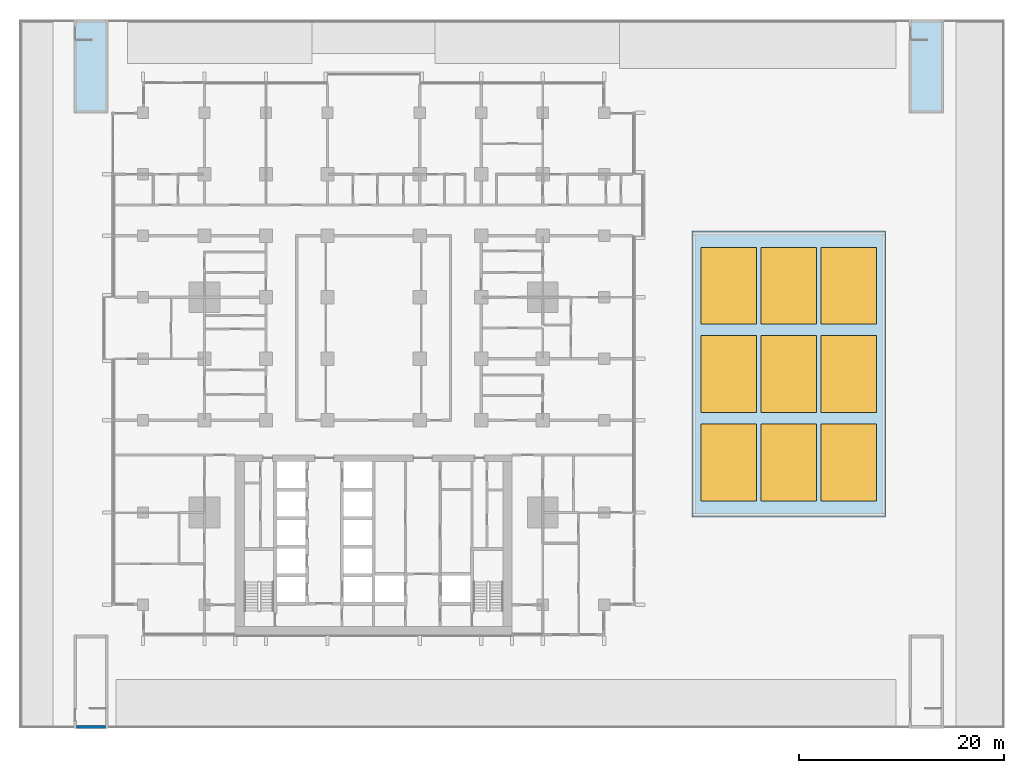
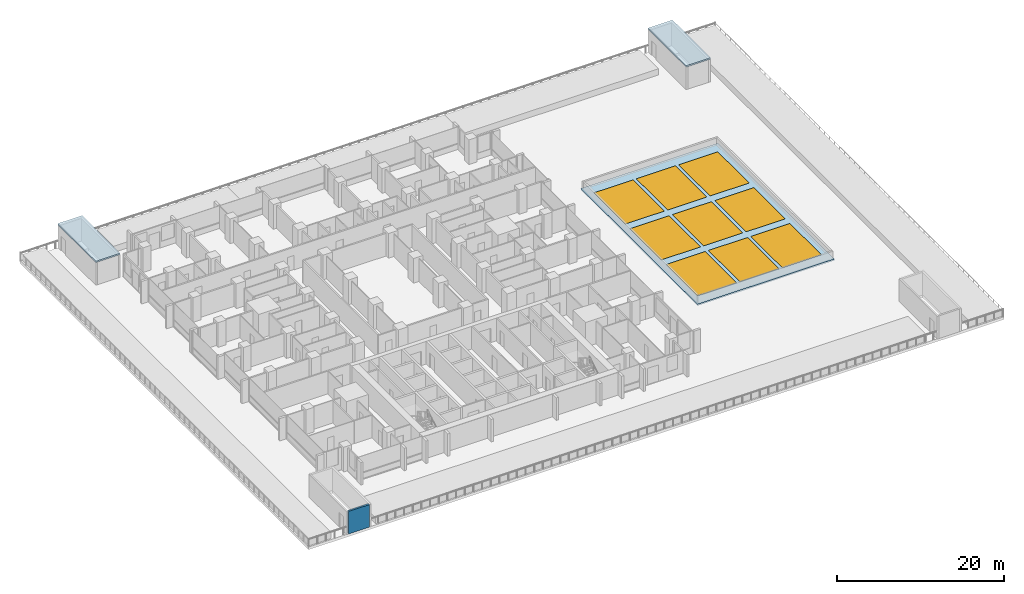
# One storey, part 8 of 25: 9 windows, 3 slabs, 1 wall, 9 openings.
"""IFC4 building model written with IfcOpenShell, lengths in metres."""

import ifcopenshell
import ifcopenshell.guid

model = None  # the IFC model being written
_history = None  # IfcOwnerHistory: only IFC2X3 demands one
_inside = {}  # id of a spatial element -> (the spatial element, [elements in it])
_under = {}  # id of a project, library or spatial element -> (it, [spatial elements below it])
_declared = {}  # id of a project -> (the project, [libraries it declares])
_typed = {}  # id of a type object -> (the type object, [elements of that type])
_made_of = {}  # id of a material, layer set ... -> (it, [elements and type objects made of it])


def new_model(schema):
    """Start an empty IFC model of exactly this schema.

    Asked for "IFC4X3", IfcOpenShell would pick the latest addendum, in which some entities
    have other attributes; the version numbers below select the first issue.
    IFC2X3 requires an IfcOwnerHistory on every rooted entity: one is made here for all.
    """
    global model, _history
    if schema == "IFC4X3":
        model = ifcopenshell.file(schema_version=(4, 3, 0, 0))
    else:
        model = ifcopenshell.file(schema=schema)
    _inside.clear()
    _under.clear()
    _declared.clear()
    _typed.clear()
    _made_of.clear()
    _history = None
    if model.schema == "IFC2X3":
        org = make("IfcOrganization", Name="unknown")
        user = make(
            "IfcPersonAndOrganization",
            ThePerson=make("IfcPerson", FamilyName="unknown"),
            TheOrganization=org,
        )
        app = make(
            "IfcApplication",
            ApplicationDeveloper=org,
            Version="unknown",
            ApplicationFullName="unknown",
            ApplicationIdentifier="unknown",
        )
        _history = make(
            "IfcOwnerHistory",
            OwningUser=user,
            OwningApplication=app,
            ChangeAction="ADDED",
            CreationDate=0,
        )
    return model


def make(cls, **values):
    """One entity of the class cls with the attributes given. An attribute that is None is left unset."""
    return model.create_entity(
        cls, **{name: value for name, value in values.items() if value is not None}
    )


def rooted(cls, **values):
    """An entity with a GlobalId (a new one), such as an element, a storey or a relation."""
    return make(cls, GlobalId=ifcopenshell.guid.new(), OwnerHistory=_history, **values)


def si_unit(unit_type, name, prefix=None):
    """IfcSIUnit, for example si_unit("LENGTHUNIT", "METRE", prefix="MILLI")."""
    return make("IfcSIUnit", UnitType=unit_type, Prefix=prefix, Name=name)


def assignment(units):
    """IfcUnitAssignment: the units of a project."""
    return None if units is None else make("IfcUnitAssignment", Units=units)


def point(xyz):
    """IfcCartesianPoint."""
    return None if xyz is None else make("IfcCartesianPoint", Coordinates=xyz)


def direction(xyz):
    """IfcDirection."""
    return None if xyz is None else make("IfcDirection", DirectionRatios=xyz)


def frame(location, z_axis=None, x_axis=None):
    """IfcAxis2Placement3D, a coordinate frame: its origin and axes. An axis left out is left unset."""
    return make(
        "IfcAxis2Placement3D",
        Location=point(location),
        Axis=direction(z_axis),
        RefDirection=direction(x_axis),
    )


def frame_2d(location, x_axis=None):
    """IfcAxis2Placement2D, a coordinate frame in the plane: its origin and x axis."""
    return make(
        "IfcAxis2Placement2D", Location=point(location), RefDirection=direction(x_axis)
    )


def origin():
    """The frame at (0, 0, 0) with its axes left unset."""
    return frame((0.0, 0.0, 0.0))


def origin_2d():
    """The frame at (0, 0) in the plane with its x axis left unset."""
    return frame_2d((0.0, 0.0))


def place(relative_to, where):
    """IfcLocalPlacement: puts the frame where relative to a parent placement (None: the world)."""
    return make(
        "IfcLocalPlacement", PlacementRelTo=relative_to, RelativePlacement=where
    )


def context(
    kind, dimensions, precision=None, world=None, true_north=None, identifier=None
):
    """IfcGeometricRepresentationContext, for example the 3D "Model" context."""
    return make(
        "IfcGeometricRepresentationContext",
        ContextIdentifier=identifier,
        ContextType=kind,
        CoordinateSpaceDimension=dimensions,
        Precision=precision,
        WorldCoordinateSystem=world,
        TrueNorth=true_north,
    )


def subcontext(parent, identifier, kind, view, scale=None):
    """IfcGeometricRepresentationSubContext, for example "Body" below "Model"."""
    return make(
        "IfcGeometricRepresentationSubContext",
        ContextIdentifier=identifier,
        ContextType=kind,
        ParentContext=parent,
        TargetScale=scale,
        TargetView=view,
    )


def project(units=None, contexts=None):
    """IfcProject with its units and contexts."""
    return rooted(
        "IfcProject",
        Name="project",
        RepresentationContexts=contexts,
        UnitsInContext=assignment(units),
    )


def spatial(cls, under=None, at=None, **own):
    """A site, building, storey or space (cls), placed at a placement, below another one or the project."""
    s = rooted(cls, ObjectPlacement=at, **own)
    if under is not None:
        _under.setdefault(under.id(), (under, []))[1].append(s)
    return s


def polyline(points):
    """IfcPolyline through the points."""
    return make("IfcPolyline", Points=[point(p) for p in points])


def profile(cls, at=None, kind="AREA", **sizes):
    """A parametric profile (cls). Its sizes go by their IFC names, for example OverallWidth=200.0."""
    return make(cls, ProfileType=kind, Position=at, **sizes)


def rectangle(**sizes):
    """IfcRectangleProfileDef."""
    return profile("IfcRectangleProfileDef", **sizes)


def outline(outer, holes=None, kind="AREA"):
    """IfcArbitraryClosedProfileDef: a profile drawn as a closed curve; with holes, ...WithVoids."""
    if holes is None:
        return make("IfcArbitraryClosedProfileDef", ProfileType=kind, OuterCurve=outer)
    return make(
        "IfcArbitraryProfileDefWithVoids",
        ProfileType=kind,
        OuterCurve=outer,
        InnerCurves=holes,
    )


def extrude(swept, where, along, depth):
    """IfcExtrudedAreaSolid: the profile swept, set in the frame where, extruded along a direction by depth."""
    return make(
        "IfcExtrudedAreaSolid",
        SweptArea=swept,
        Position=where,
        ExtrudedDirection=direction(along),
        Depth=depth,
    )


def shape(context_of_items, identifier, shape_type, items):
    """IfcShapeRepresentation: the items that make up one representation, for example the "Body"."""
    return make(
        "IfcShapeRepresentation",
        ContextOfItems=context_of_items,
        RepresentationIdentifier=identifier,
        RepresentationType=shape_type,
        Items=items,
    )


def material(Name=None, Category=None):
    """IfcMaterial."""
    return make("IfcMaterial", Name=Name, Category=Category)


def layer(
    of_material, thickness, ventilated=None, Name=None, Category=None, Priority=None
):
    """IfcMaterialLayer: one layer of a wall or slab, of a material (None: an air gap)."""
    return make(
        "IfcMaterialLayer",
        Material=of_material,
        LayerThickness=thickness,
        IsVentilated=ventilated,
        Name=Name,
        Category=Category,
        Priority=Priority,
    )


def layer_set(layers, Name=None):
    """IfcMaterialLayerSet."""
    return make("IfcMaterialLayerSet", MaterialLayers=layers, LayerSetName=Name)


def made_of(thing, what):
    """Note that an element or type object is made of a material, layer set ...; save() writes the relation."""
    if what is not None:
        _made_of.setdefault(what.id(), (what, []))[1].append(thing)
    return thing


def type_object(cls, material=None, **own):
    """A type object (cls), such as IfcWallType, which elements share."""
    return made_of(rooted(cls, **own), material)


def element(
    cls,
    number,
    at=None,
    inside=None,
    cuts=None,
    type_object=None,
    material=None,
    context=None,
    identifier="Body",
    shape_type=None,
    held_by="IfcProductDefinitionShape",
    body=None,
    shapes=None,
    **own,
):
    """One element of the class cls, such as IfcWall. Its Tag is "e" and its number.

    at: its placement. inside: the storey or other place that contains it. cuts: it is an
    opening in that element (IfcRelVoidsElement). A single representation is given by context,
    identifier, shape_type and body (its items); several are given by shapes. held_by: the class
    of the entity that holds the representations. save() writes the other relations.
    """
    e = rooted(cls, Tag="e%d" % number, ObjectPlacement=at, **own)
    if body is not None:
        shapes = [shape(context, identifier, shape_type, body)]
    if shapes is not None:
        e.Representation = make(held_by, Representations=shapes)
    if inside is not None:
        _inside.setdefault(inside.id(), (inside, []))[1].append(e)
    if cuts is not None:
        rooted(
            "IfcRelVoidsElement", RelatingBuildingElement=cuts, RelatedOpeningElement=e
        )
    if type_object is not None:
        _typed.setdefault(type_object.id(), (type_object, []))[1].append(e)
    return made_of(e, material)


def fill(opening, filler):
    """IfcRelFillsElement: the door or window that sits in an opening."""
    return rooted(
        "IfcRelFillsElement",
        RelatingOpeningElement=opening,
        RelatedBuildingElement=filler,
    )


def aggregate(whole, parts):
    """IfcRelAggregates: a whole, such as a stair, and the parts it consists of."""
    return rooted("IfcRelAggregates", RelatingObject=whole, RelatedObjects=parts)


def save(model, path):
    """Write the relations noted so far, then the file.

    IfcRelAggregates (storeys below a building ...), IfcRelContainedInSpatialStructure (elements
    in a storey), IfcRelDefinesByType, IfcRelAssociatesMaterial and IfcRelDeclares: one each for
    every whole, place, type object, material and project.
    """
    for whole, parts in _under.values():
        aggregate(whole, parts)
    for where, things in _inside.values():
        rooted(
            "IfcRelContainedInSpatialStructure",
            RelatedElements=things,
            RelatingStructure=where,
        )
    for kind, things in _typed.values():
        rooted("IfcRelDefinesByType", RelatedObjects=things, RelatingType=kind)
    for what, things in _made_of.values():
        rooted("IfcRelAssociatesMaterial", RelatedObjects=things, RelatingMaterial=what)
    for by, libraries in _declared.values():
        rooted("IfcRelDeclares", RelatingContext=by, RelatedDefinitions=libraries)
    model.write(path)


model = new_model("IFC4")

# Units and contexts
model_context = context("Model", 3, precision=1e-05, world=origin(), true_north=direction((0.0, 1.0)))
body_context = subcontext(model_context, "Body", "Model", "MODEL_VIEW")
ifc_project = project(units=[si_unit("LENGTHUNIT", "METRE"), si_unit("AREAUNIT", "SQUARE_METRE"), si_unit("VOLUMEUNIT", "CUBIC_METRE"), si_unit("PLANEANGLEUNIT", "RADIAN"), si_unit("MASSUNIT", "GRAM", prefix="KILO")], contexts=[model_context])

# Site, building, storey
site_placement = place(None, origin())
site = spatial("IfcSite", under=ifc_project, at=site_placement, CompositionType="ELEMENT")
building_placement = place(site_placement, origin())
building = spatial("IfcBuilding", under=site, at=building_placement, Name="Finial Court Residences", CompositionType="ELEMENT")
storey_placement = place(building_placement, frame((0.0, 0.0, 32.5)))
storey = spatial("IfcBuildingStorey", under=building, at=storey_placement, Name="L06", CompositionType="ELEMENT", Elevation=32.5)

# Slab, openings, windows
ifc_material_1 = material(Name="Concrete C40/50", Category="concrete")
ifc_layer_1 = layer(ifc_material_1, 0.199951171875)
ifc_layer_set_1 = layer_set([ifc_layer_1], Name="Atrium roof deck, Concrete C40/50 200")
slab_type_1 = type_object("IfcSlabType", Name="Atrium roof deck, Concrete C40/50 200", PredefinedType="ROOF", material=ifc_layer_set_1)
slab_1_placement = place(storey_placement, frame((0.0, 0.0, -0.199951171875)))
slab_1 = element("IfcSlab", 1, at=slab_1_placement, inside=storey, type_object=slab_type_1, Name="Atrium roof deck", PredefinedType="ROOF", context=body_context, shape_type="SweptSolid", body=[
    extrude(outline(polyline([(49.949951171875, -13.949951171875), (49.949951171875, 13.949951171875), (31.050048828125, 13.949951171875), (31.050048828125, -13.949951171875), (49.949951171875, -13.949951171875)])), origin(), (0.0, 0.0, 1.0), 0.199951171875),
])
opening_1_placement = place(slab_1_placement, frame((34.64990234375, -8.625, 0.0)))
opening_1 = element("IfcOpeningElement", 2, at=opening_1_placement, cuts=slab_1, Name="Opening WE06-16", PredefinedType="OPENING", context=body_context, shape_type="SweptSolid", body=[
    extrude(rectangle(XDim=5.39990234375, YDim=7.5, at=origin_2d()), origin(), (0.0, 0.0, 1.0), 0.199951171875),
])
opening_2_placement = place(slab_1_placement, frame((34.64990234375, 0.0, 0.0)))
opening_2 = element("IfcOpeningElement", 3, at=opening_2_placement, cuts=slab_1, Name="Opening WE06-17", PredefinedType="OPENING", context=body_context, shape_type="SweptSolid", body=[
    extrude(rectangle(XDim=5.39990234375, YDim=7.5, at=origin_2d()), origin(), (0.0, 0.0, 1.0), 0.199951171875),
])
opening_3_placement = place(slab_1_placement, frame((34.64990234375, 8.625, 0.0)))
opening_3 = element("IfcOpeningElement", 4, at=opening_3_placement, cuts=slab_1, Name="Opening WE06-18", PredefinedType="OPENING", context=body_context, shape_type="SweptSolid", body=[
    extrude(rectangle(XDim=5.39990234375, YDim=7.5, at=origin_2d()), origin(), (0.0, 0.0, 1.0), 0.199951171875),
])
opening_4_placement = place(slab_1_placement, frame((40.5, -8.625, 0.0)))
opening_4 = element("IfcOpeningElement", 5, at=opening_4_placement, cuts=slab_1, Name="Opening WE06-19", PredefinedType="OPENING", context=body_context, shape_type="SweptSolid", body=[
    extrude(rectangle(XDim=5.39990234375, YDim=7.5, at=origin_2d()), origin(), (0.0, 0.0, 1.0), 0.199951171875),
])
opening_5_placement = place(slab_1_placement, frame((40.5, 0.0, 0.0)))
opening_5 = element("IfcOpeningElement", 6, at=opening_5_placement, cuts=slab_1, Name="Opening WE06-20", PredefinedType="OPENING", context=body_context, shape_type="SweptSolid", body=[
    extrude(rectangle(XDim=5.39990234375, YDim=7.5, at=origin_2d()), origin(), (0.0, 0.0, 1.0), 0.199951171875),
])
opening_6_placement = place(slab_1_placement, frame((40.5, 8.625, 0.0)))
opening_6 = element("IfcOpeningElement", 7, at=opening_6_placement, cuts=slab_1, Name="Opening WE06-21", PredefinedType="OPENING", context=body_context, shape_type="SweptSolid", body=[
    extrude(rectangle(XDim=5.39990234375, YDim=7.5, at=origin_2d()), origin(), (0.0, 0.0, 1.0), 0.199951171875),
])
opening_7_placement = place(slab_1_placement, frame((46.35009765625, -8.625, 0.0)))
opening_7 = element("IfcOpeningElement", 8, at=opening_7_placement, cuts=slab_1, Name="Opening WE06-22", PredefinedType="OPENING", context=body_context, shape_type="SweptSolid", body=[
    extrude(rectangle(XDim=5.39990234375, YDim=7.5, at=origin_2d()), origin(), (0.0, 0.0, 1.0), 0.199951171875),
])
opening_8_placement = place(slab_1_placement, frame((46.35009765625, 0.0, 0.0)))
opening_8 = element("IfcOpeningElement", 9, at=opening_8_placement, cuts=slab_1, Name="Opening WE06-23", PredefinedType="OPENING", context=body_context, shape_type="SweptSolid", body=[
    extrude(rectangle(XDim=5.39990234375, YDim=7.5, at=origin_2d()), origin(), (0.0, 0.0, 1.0), 0.199951171875),
])
opening_9_placement = place(slab_1_placement, frame((46.35009765625, 8.625, 0.0)))
opening_9 = element("IfcOpeningElement", 10, at=opening_9_placement, cuts=slab_1, Name="Opening WE06-24", PredefinedType="OPENING", context=body_context, shape_type="SweptSolid", body=[
    extrude(rectangle(XDim=5.39990234375, YDim=7.5, at=origin_2d()), origin(), (0.0, 0.0, 1.0), 0.199951171875),
])
ifc_material_2 = material(Name="Clear low-e glass", Category="glass")
window_type = type_object("IfcWindowType", Name="Atrium rooflight 5400 x 7500", PartitioningType="SINGLE_PANEL", PredefinedType="SKYLIGHT", material=ifc_material_2)
window_1_placement = place(opening_1_placement, frame((0.0, 0.0, 0.14990234375)))
window_1 = element("IfcWindow", 11, at=window_1_placement, inside=storey, type_object=window_type, Name="X-ATRIUM-SKY11", OverallHeight=7.5, OverallWidth=5.39990234375, PartitioningType="SINGLE_PANEL", PredefinedType="SKYLIGHT", context=body_context, shape_type="SweptSolid", body=[
    extrude(rectangle(XDim=5.39990234375, YDim=7.5, at=origin_2d()), origin(), (0.0, 0.0, 1.0), 0.050048828125),
])
fill(opening_1, window_1)
window_2_placement = place(opening_2_placement, frame((0.0, 0.0, 0.14990234375)))
window_2 = element("IfcWindow", 12, at=window_2_placement, inside=storey, type_object=window_type, Name="X-ATRIUM-SKY12", OverallHeight=7.5, OverallWidth=5.39990234375, PartitioningType="SINGLE_PANEL", PredefinedType="SKYLIGHT", context=body_context, shape_type="SweptSolid", body=[
    extrude(rectangle(XDim=5.39990234375, YDim=7.5, at=origin_2d()), origin(), (0.0, 0.0, 1.0), 0.050048828125),
])
fill(opening_2, window_2)
window_3_placement = place(opening_3_placement, frame((0.0, 0.0, 0.14990234375)))
window_3 = element("IfcWindow", 13, at=window_3_placement, inside=storey, type_object=window_type, Name="X-ATRIUM-SKY13", OverallHeight=7.5, OverallWidth=5.39990234375, PartitioningType="SINGLE_PANEL", PredefinedType="SKYLIGHT", context=body_context, shape_type="SweptSolid", body=[
    extrude(rectangle(XDim=5.39990234375, YDim=7.5, at=origin_2d()), origin(), (0.0, 0.0, 1.0), 0.050048828125),
])
fill(opening_3, window_3)
window_4_placement = place(opening_4_placement, frame((0.0, 0.0, 0.14990234375)))
window_4 = element("IfcWindow", 14, at=window_4_placement, inside=storey, type_object=window_type, Name="X-ATRIUM-SKY21", OverallHeight=7.5, OverallWidth=5.39990234375, PartitioningType="SINGLE_PANEL", PredefinedType="SKYLIGHT", context=body_context, shape_type="SweptSolid", body=[
    extrude(rectangle(XDim=5.39990234375, YDim=7.5, at=origin_2d()), origin(), (0.0, 0.0, 1.0), 0.050048828125),
])
fill(opening_4, window_4)
window_5_placement = place(opening_5_placement, frame((0.0, 0.0, 0.14990234375)))
window_5 = element("IfcWindow", 15, at=window_5_placement, inside=storey, type_object=window_type, Name="X-ATRIUM-SKY22", OverallHeight=7.5, OverallWidth=5.39990234375, PartitioningType="SINGLE_PANEL", PredefinedType="SKYLIGHT", context=body_context, shape_type="SweptSolid", body=[
    extrude(rectangle(XDim=5.39990234375, YDim=7.5, at=origin_2d()), origin(), (0.0, 0.0, 1.0), 0.050048828125),
])
fill(opening_5, window_5)
window_6_placement = place(opening_6_placement, frame((0.0, 0.0, 0.14990234375)))
window_6 = element("IfcWindow", 16, at=window_6_placement, inside=storey, type_object=window_type, Name="X-ATRIUM-SKY23", OverallHeight=7.5, OverallWidth=5.39990234375, PartitioningType="SINGLE_PANEL", PredefinedType="SKYLIGHT", context=body_context, shape_type="SweptSolid", body=[
    extrude(rectangle(XDim=5.39990234375, YDim=7.5, at=origin_2d()), origin(), (0.0, 0.0, 1.0), 0.050048828125),
])
fill(opening_6, window_6)
window_7_placement = place(opening_7_placement, frame((0.0, 0.0, 0.14990234375)))
window_7 = element("IfcWindow", 17, at=window_7_placement, inside=storey, type_object=window_type, Name="X-ATRIUM-SKY31", OverallHeight=7.5, OverallWidth=5.39990234375, PartitioningType="SINGLE_PANEL", PredefinedType="SKYLIGHT", context=body_context, shape_type="SweptSolid", body=[
    extrude(rectangle(XDim=5.39990234375, YDim=7.5, at=origin_2d()), origin(), (0.0, 0.0, 1.0), 0.050048828125),
])
fill(opening_7, window_7)
window_8_placement = place(opening_8_placement, frame((0.0, 0.0, 0.14990234375)))
window_8 = element("IfcWindow", 18, at=window_8_placement, inside=storey, type_object=window_type, Name="X-ATRIUM-SKY32", OverallHeight=7.5, OverallWidth=5.39990234375, PartitioningType="SINGLE_PANEL", PredefinedType="SKYLIGHT", context=body_context, shape_type="SweptSolid", body=[
    extrude(rectangle(XDim=5.39990234375, YDim=7.5, at=origin_2d()), origin(), (0.0, 0.0, 1.0), 0.050048828125),
])
fill(opening_8, window_8)
window_9_placement = place(opening_9_placement, frame((0.0, 0.0, 0.14990234375)))
window_9 = element("IfcWindow", 19, at=window_9_placement, inside=storey, type_object=window_type, Name="X-ATRIUM-SKY33", OverallHeight=7.5, OverallWidth=5.39990234375, PartitioningType="SINGLE_PANEL", PredefinedType="SKYLIGHT", context=body_context, shape_type="SweptSolid", body=[
    extrude(rectangle(XDim=5.39990234375, YDim=7.5, at=origin_2d()), origin(), (0.0, 0.0, 1.0), 0.050048828125),
])
fill(opening_9, window_9)

# Slabs
ifc_layer_2 = layer(ifc_material_1, 0.199951171875)
ifc_layer_set_2 = layer_set([ifc_layer_2], Name="Stair head-house roof slab")
slab_type_2 = type_object("IfcSlabType", Name="Stair head-house roof slab", PredefinedType="ROOF", material=ifc_layer_set_2)
slab_2_placement = place(storey_placement, frame((0.0, 0.0, 3.300048828125)))
element("IfcSlab", 20, at=slab_2_placement, inside=storey, type_object=slab_type_2, Name="Exit Stair 5 head-house roof", PredefinedType="ROOF", context=body_context, shape_type="SweptSolid", body=[
    extrude(outline(polyline([(52.25, 25.469970703125), (55.60009765625, 25.469970703125), (55.60009765625, 34.550048828125), (52.25, 34.550048828125), (52.25, 25.469970703125)])), origin(), (0.0, 0.0, 1.0), 0.199951171875),
])
slab_3_placement = place(storey_placement, frame((0.0, 0.0, 3.300048828125)))
element("IfcSlab", 21, at=slab_3_placement, inside=storey, type_object=slab_type_2, Name="Exit Stair 6 head-house roof", PredefinedType="ROOF", context=body_context, shape_type="SweptSolid", body=[
    extrude(outline(polyline([(-29.25, 25.469970703125), (-25.89990234375, 25.469970703125), (-25.89990234375, 34.550048828125), (-29.25, 34.550048828125), (-29.25, 25.469970703125)])), origin(), (0.0, 0.0, 1.0), 0.199951171875),
])

# Wall
ifc_material_3 = material(Name="Concrete C50/60", Category="concrete")
ifc_layer_3 = layer(ifc_material_3, 0.25)
ifc_layer_set_3 = layer_set([ifc_layer_3], Name="Stair head-house wall 250 Concrete C50/60")
wall_type = type_object("IfcWallType", Name="Stair head-house wall 250 Concrete C50/60", PredefinedType="SHEAR", material=ifc_layer_set_3)
wall_placement = place(storey_placement, frame((-29.0, -34.425048828125, 0.0), z_axis=(0.0, 0.0, 1.0), x_axis=(1.0, 0.0, 0.0)))
element("IfcWall", 22, at=wall_placement, inside=storey, type_object=wall_type, Name="Exit Stair 4 head-house wall S", PredefinedType="SHEAR", context=body_context, shape_type="SweptSolid", body=[
    extrude(rectangle(XDim=2.85009765625, YDim=0.25, at=frame_2d((1.425048828125, 0.0))), origin(), (0.0, 0.0, 1.0), 3.300048828125),
])

save(model, "model.ifc")
